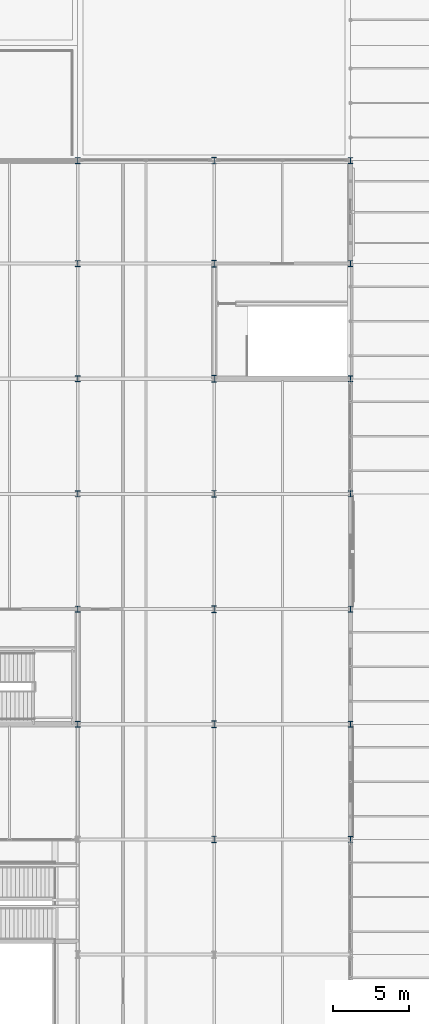
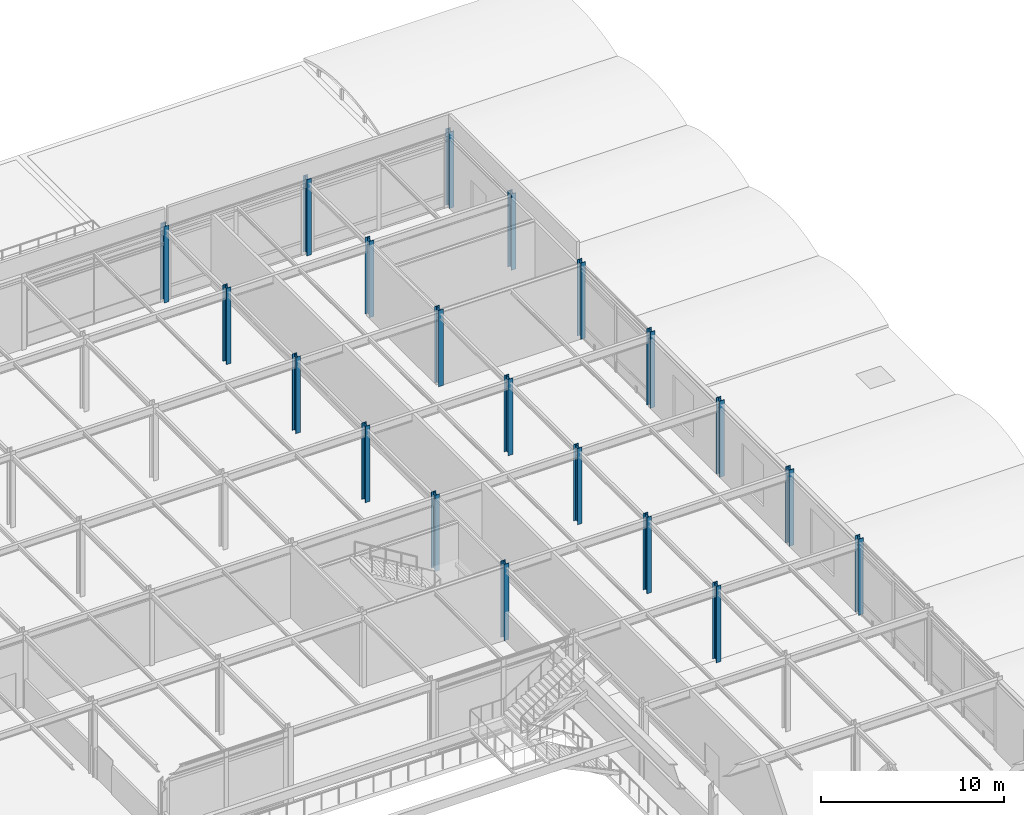
# One storey, part 14 of 113: 20 columns.
"""IFC4 building model written with IfcOpenShell, lengths in metres."""

from ifc_helpers import new_model, si_unit, direction, frame, origin, origin_2d, place, context, subcontext, project, spatial, i_section, extrude, material, material_profile, profile_set, type_object, element, save


model = new_model("IFC4")

# Units and contexts
model_context = context("Model", 3, precision=1e-05, world=origin(), true_north=direction((0.0, 1.0)))
body_context = subcontext(model_context, "Body", "Model", "MODEL_VIEW")
ifc_project = project(units=[si_unit("LENGTHUNIT", "METRE"), si_unit("AREAUNIT", "SQUARE_METRE"), si_unit("VOLUMEUNIT", "CUBIC_METRE"), si_unit("PLANEANGLEUNIT", "RADIAN"), si_unit("MASSUNIT", "GRAM", prefix="KILO")], contexts=[model_context])

# Site, building, storey
site_placement = place(None, origin())
site = spatial("IfcSite", under=ifc_project, at=site_placement, CompositionType="ELEMENT")
building_placement = place(site_placement, origin())
building = spatial("IfcBuilding", under=site, at=building_placement, Name="Shalkamar Park Central Library", CompositionType="ELEMENT")
storey_placement = place(building_placement, frame((0.0, 0.0, 5.39990234375)))
storey = spatial("IfcBuildingStorey", under=building, at=storey_placement, Name="L02", CompositionType="ELEMENT", Elevation=5.39990234375)

# Columns
ifc_material = material(Name="Steel S355", Category="steel")
ifc_material_profile_1 = material_profile(ifc_material, i_section(OverallWidth=0.300048828125, OverallDepth=0.39990234375, WebThickness=0.013427734375, FlangeThickness=0.02392578125, FilletRadius=0.027099609375, at=origin_2d()), Name="HEB 400")
ifc_profile_set_1 = profile_set([ifc_material_profile_1], Name="Steel S355")
column_type_1 = type_object("IfcColumnType", Name="Column Steel HEB400", PredefinedType="COLUMN", material=ifc_profile_set_1)
for number, where, z_axis, x_axis, name in (
    (1, (255.0, 300.800048828125, 0.0), (0.0, 0.0, 1.0), (1.0, 0.0, 0.0), "Column 18/J (L02)"),
    (2, (255.0, 308.39990234375, 0.0), (0.0, 0.0, 1.0), (1.0, 0.0, 0.0), "Column 18/K (L02)"),
    (3, (255.0, 316.0, 0.0), (0.0, 0.0, 1.0), (1.0, 0.0, 0.0), "Column 18/L (L02)"),
    (4, (255.0, 323.60009765625, 0.0), (0.0, 0.0, 1.0), (1.0, 0.0, 0.0), "Column 18/M (L02)"),
    (5, (255.0, 331.199951171875, 0.0), (0.0, 0.0, 1.0), (1.0, 0.0, 0.0), "Column 18/N (L02)"),
    (6, (255.0, 338.0, 0.0), (0.0, 0.0, 1.0), (1.0, 0.0, 0.0), "Column 18/P (L02)"),
    (7, (273.0, 293.199951171875, 0.0), (0.0, 0.0, 1.0), (1.0, 0.0, 0.0), "Column 20/H (L02)"),
    (8, (273.0, 300.800048828125, 0.0), (0.0, 0.0, 1.0), (1.0, 0.0, 0.0), "Column 20/J (L02)"),
    (9, (273.0, 308.39990234375, 0.0), (0.0, 0.0, 1.0), (1.0, 0.0, 0.0), "Column 20/K (L02)"),
    (10, (273.0, 316.0, 0.0), (0.0, 0.0, 1.0), (1.0, 0.0, 0.0), "Column 20/L (L02)"),
    (11, (273.0, 323.60009765625, 0.0), (0.0, 0.0, 1.0), (1.0, 0.0, 0.0), "Column 20/M (L02)"),
    (12, (273.0, 331.199951171875, 0.0), (0.0, 0.0, 1.0), (1.0, 0.0, 0.0), "Column 20/N (L02)"),
    (13, (273.0, 338.0, 0.0), (0.0, 0.0, 1.0), (1.0, 0.0, 0.0), "Column 20/P (L02)"),
):
    element("IfcColumn", number, at=place(storey_placement, frame(where, z_axis=z_axis, x_axis=x_axis)), inside=storey, type_object=column_type_1, Name=name, PredefinedType="COLUMN", context=body_context, shape_type="SweptSolid", body=[
        extrude(i_section(OverallWidth=0.300048828125, OverallDepth=0.39990234375, WebThickness=0.013427734375, FlangeThickness=0.02392578125, FilletRadius=0.027099609375, at=origin_2d()), origin(), (0.0, 0.0, 1.0), 5.10009765625),
    ])
ifc_material_profile_2 = material_profile(ifc_material, i_section(OverallWidth=0.300048828125, OverallDepth=0.449951171875, WebThickness=0.013916015625, FlangeThickness=0.02587890625, FilletRadius=0.027099609375, at=origin_2d()), Name="HEB 450")
ifc_profile_set_2 = profile_set([ifc_material_profile_2], Name="Steel S355")
column_type_2 = type_object("IfcColumnType", Name="Column Steel HEB450", PredefinedType="COLUMN", material=ifc_profile_set_2)
for number, where, z_axis, x_axis, name in (
    (14, (264.0, 293.199951171875, 0.0), (0.0, 0.0, 1.0), (1.0, 0.0, 0.0), "Column 19/H (L02)"),
    (15, (264.0, 300.800048828125, 0.0), (0.0, 0.0, 1.0), (1.0, 0.0, 0.0), "Column 19/J (L02)"),
    (16, (264.0, 308.39990234375, 0.0), (0.0, 0.0, 1.0), (1.0, 0.0, 0.0), "Column 19/K (L02)"),
    (17, (264.0, 316.0, 0.0), (0.0, 0.0, 1.0), (1.0, 0.0, 0.0), "Column 19/L (L02)"),
    (18, (264.0, 323.60009765625, 0.0), (0.0, 0.0, 1.0), (1.0, 0.0, 0.0), "Column 19/M (L02)"),
    (19, (264.0, 331.199951171875, 0.0), (0.0, 0.0, 1.0), (1.0, 0.0, 0.0), "Column 19/N (L02)"),
    (20, (264.0, 338.0, 0.0), (0.0, 0.0, 1.0), (1.0, 0.0, 0.0), "Column 19/P (L02)"),
):
    element("IfcColumn", number, at=place(storey_placement, frame(where, z_axis=z_axis, x_axis=x_axis)), inside=storey, type_object=column_type_2, Name=name, PredefinedType="COLUMN", context=body_context, shape_type="SweptSolid", body=[
        extrude(i_section(OverallWidth=0.300048828125, OverallDepth=0.449951171875, WebThickness=0.013916015625, FlangeThickness=0.02587890625, FilletRadius=0.027099609375, at=origin_2d()), origin(), (0.0, 0.0, 1.0), 5.10009765625),
    ])

save(model, "model.ifc")
